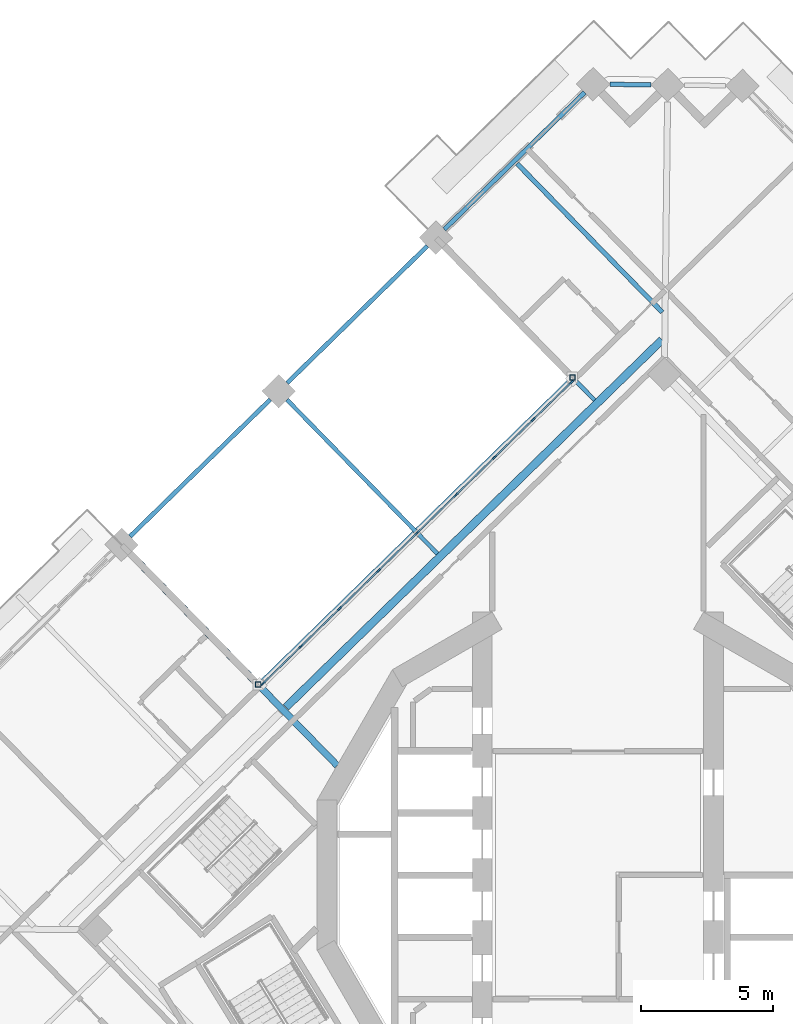
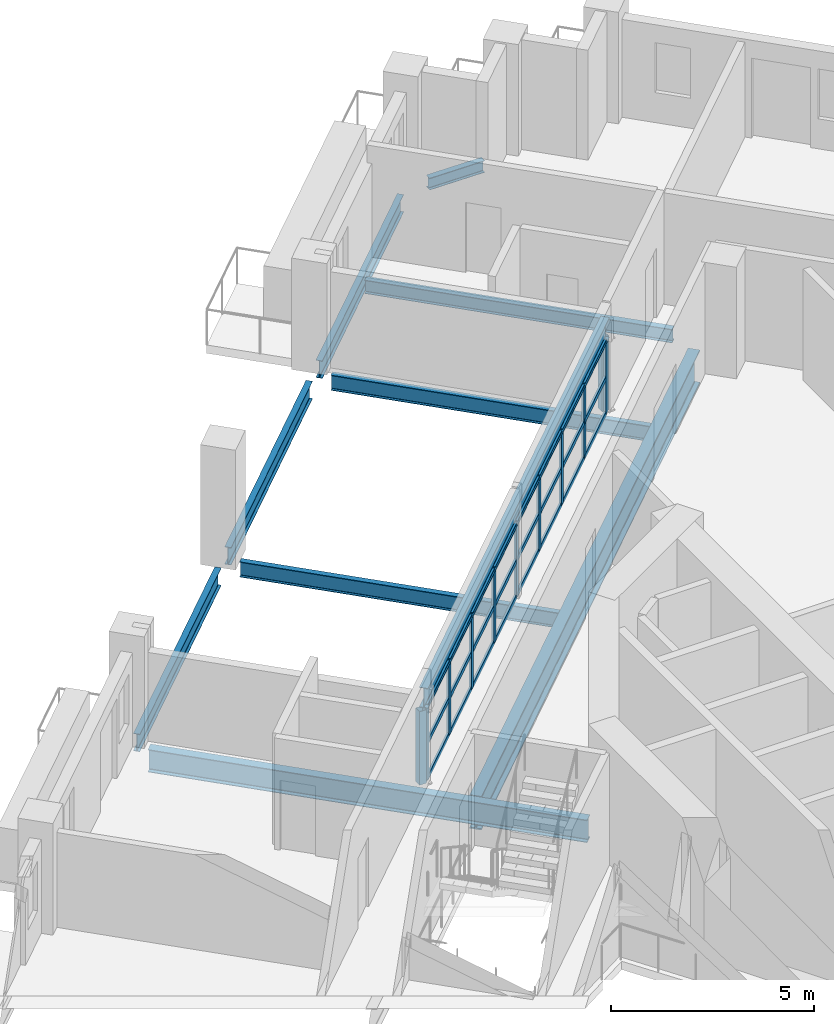
# One storey, part 2 of 18: 35 members, 10 beams, 1 element without a shape of its own.
"""IFC4 building model written with IfcOpenShell, lengths in metres."""

from ifc_helpers import new_model, si_unit, direction, frame, origin, origin_2d, place, context, subcontext, project, spatial, rectangle, hollow_rectangle, i_section, extrude, material, material_profile, profile_set, type_object, element, aggregate, save


model = new_model("IFC4")

# Units and contexts
model_context = context("Model", 3, precision=1e-05, world=origin(), true_north=direction((0.0, 1.0)))
body_context = subcontext(model_context, "Body", "Model", "MODEL_VIEW")
ifc_project = project(units=[si_unit("LENGTHUNIT", "METRE"), si_unit("AREAUNIT", "SQUARE_METRE"), si_unit("VOLUMEUNIT", "CUBIC_METRE"), si_unit("PLANEANGLEUNIT", "RADIAN"), si_unit("MASSUNIT", "GRAM", prefix="KILO")], contexts=[model_context])

# Site, building, storey
site_placement = place(None, origin())
site = spatial("IfcSite", under=ifc_project, at=site_placement, CompositionType="ELEMENT")
building_placement = place(site_placement, origin())
building = spatial("IfcBuilding", under=site, at=building_placement, Name="Cantera Rosa Tower", CompositionType="ELEMENT")
storey_placement = place(building_placement, frame((0.0, 0.0, 219.800048828125)))
storey = spatial("IfcBuildingStorey", under=building, at=storey_placement, Name="L47", CompositionType="ELEMENT", Elevation=219.800048828125)

# Curtain wall, members
ifc_material_1 = material(Name="Aluminium frame with clear glass", Category="aluminium")
curtain_wall_type = type_object("IfcCurtainWallType", Name="CW1 TERRACE POCKET GLAZING", PredefinedType="NOTDEFINED", material=ifc_material_1)
curtain_wall_placement = place(storey_placement, origin())
curtain_wall = element("IfcCurtainWall", 1, at=curtain_wall_placement, inside=storey, type_object=curtain_wall_type, Name="CW1 CW1", PredefinedType="NOTDEFINED")
ifc_material_2 = material(Name="Anodised bronze aluminium", Category="aluminium")
ifc_material_profile_1 = material_profile(ifc_material_2, rectangle(XDim=0.06005859375, YDim=0.179931640625, at=origin_2d()), Name="CW-MULLION 60x180 POCKET")
ifc_profile_set_1 = profile_set([ifc_material_profile_1], Name="Anodised bronze aluminium")
member_type_1 = type_object("IfcMemberType", Name="CW-MULLION 60x180 POCKET", PredefinedType="MULLION", material=ifc_profile_set_1)
member_1_placement = place(storey_placement, frame((-1.002685546875, 18.662841796875, 0.0), z_axis=(0.0, 0.0, 1.0), x_axis=(0.698831540364, -0.71528629107, 0.0)))
member_1 = element("IfcMember", 2, at=member_1_placement, type_object=member_type_1, Name="CW1 mullion 1", PredefinedType="MULLION", context=body_context, shape_type="SweptSolid", body=[
    extrude(rectangle(XDim=0.06005859375, YDim=0.179931640625, at=origin_2d()), origin(), (0.0, 0.0, 1.0), 2.2060546875),
])
member_2_placement = place(storey_placement, frame((-2.44677734375, 17.252197265625, 0.0), z_axis=(0.0, 0.0, 1.0), x_axis=(0.698831540364, -0.71528629107, 0.0)))
member_2 = element("IfcMember", 3, at=member_2_placement, type_object=member_type_1, Name="CW1 mullion 2", PredefinedType="MULLION", context=body_context, shape_type="SweptSolid", body=[
    extrude(rectangle(XDim=0.06005859375, YDim=0.179931640625, at=origin_2d()), origin(), (0.0, 0.0, 1.0), 2.2060546875),
])
member_3_placement = place(storey_placement, frame((-3.912109375, 15.8203125, 0.0), z_axis=(0.0, 0.0, 1.0), x_axis=(0.698831540364, -0.71528629107, 0.0)))
member_3 = element("IfcMember", 4, at=member_3_placement, type_object=member_type_1, Name="CW1 mullion 3", PredefinedType="MULLION", context=body_context, shape_type="SweptSolid", body=[
    extrude(rectangle(XDim=0.06005859375, YDim=0.179931640625, at=origin_2d()), origin(), (0.0, 0.0, 1.0), 2.2060546875),
])
member_4_placement = place(storey_placement, frame((-5.37744140625, 14.388671875, 0.0), z_axis=(0.0, 0.0, 1.0), x_axis=(0.698831540364, -0.71528629107, 0.0)))
member_4 = element("IfcMember", 5, at=member_4_placement, type_object=member_type_1, Name="CW1 mullion 4", PredefinedType="MULLION", context=body_context, shape_type="SweptSolid", body=[
    extrude(rectangle(XDim=0.06005859375, YDim=0.179931640625, at=origin_2d()), origin(), (0.0, 0.0, 1.0), 2.2060546875),
])
member_5_placement = place(storey_placement, frame((-6.843017578125, 12.95703125, 0.0), z_axis=(0.0, 0.0, 1.0), x_axis=(0.698831540364, -0.71528629107, 0.0)))
member_5 = element("IfcMember", 6, at=member_5_placement, type_object=member_type_1, Name="CW1 mullion 5", PredefinedType="MULLION", context=body_context, shape_type="SweptSolid", body=[
    extrude(rectangle(XDim=0.06005859375, YDim=0.179931640625, at=origin_2d()), origin(), (0.0, 0.0, 1.0), 2.2060546875),
])
member_6_placement = place(storey_placement, frame((-8.308349609375, 11.525146484375, 0.0), z_axis=(0.0, 0.0, 1.0), x_axis=(0.698831540364, -0.71528629107, 0.0)))
member_6 = element("IfcMember", 7, at=member_6_placement, type_object=member_type_1, Name="CW1 mullion 6", PredefinedType="MULLION", context=body_context, shape_type="SweptSolid", body=[
    extrude(rectangle(XDim=0.06005859375, YDim=0.179931640625, at=origin_2d()), origin(), (0.0, 0.0, 1.0), 2.2060546875),
])
member_7_placement = place(storey_placement, frame((-9.77392578125, 10.093505859375, 0.0), z_axis=(0.0, 0.0, 1.0), x_axis=(0.698831540364, -0.71528629107, 0.0)))
member_7 = element("IfcMember", 8, at=member_7_placement, type_object=member_type_1, Name="CW1 mullion 7", PredefinedType="MULLION", context=body_context, shape_type="SweptSolid", body=[
    extrude(rectangle(XDim=0.06005859375, YDim=0.179931640625, at=origin_2d()), origin(), (0.0, 0.0, 1.0), 2.2060546875),
])
member_8_placement = place(storey_placement, frame((-11.2392578125, 8.66162109375, 0.0), z_axis=(0.0, 0.0, 1.0), x_axis=(0.698831540364, -0.71528629107, 0.0)))
member_8 = element("IfcMember", 9, at=member_8_placement, type_object=member_type_1, Name="CW1 mullion 8", PredefinedType="MULLION", context=body_context, shape_type="SweptSolid", body=[
    extrude(rectangle(XDim=0.06005859375, YDim=0.179931640625, at=origin_2d()), origin(), (0.0, 0.0, 1.0), 2.2060546875),
])
member_9_placement = place(storey_placement, frame((-12.683349609375, 7.2509765625, 0.0), z_axis=(0.0, 0.0, 1.0), x_axis=(0.698831540364, -0.71528629107, 0.0)))
member_9 = element("IfcMember", 10, at=member_9_placement, type_object=member_type_1, Name="CW1 mullion 9", PredefinedType="MULLION", context=body_context, shape_type="SweptSolid", body=[
    extrude(rectangle(XDim=0.06005859375, YDim=0.179931640625, at=origin_2d()), origin(), (0.0, 0.0, 1.0), 2.2060546875),
])
ifc_material_3 = material(Name="Anodised bronze aluminium", Category="aluminium")
ifc_material_profile_2 = material_profile(ifc_material_3, rectangle(XDim=0.06005859375, YDim=0.139892578125, at=origin_2d()), Name="CW-TRANSOM 60x140 POCKET")
ifc_profile_set_2 = profile_set([ifc_material_profile_2], Name="Anodised bronze aluminium")
member_type_2 = type_object("IfcMemberType", Name="CW-TRANSOM 60x140 POCKET", PredefinedType="USERDEFINED", material=ifc_profile_set_2)
member_10_placement = place(storey_placement, frame((-1.024169921875, 18.641845703125, 0.030029296875), z_axis=(-0.715284895398, -0.698832968896, 0.0), x_axis=(0.698832968896, -0.715284895398, 0.0)))
member_10 = element("IfcMember", 11, at=member_10_placement, type_object=member_type_2, Name="CW1 transom 1.1", ObjectType="TRANSOM", PredefinedType="USERDEFINED", context=body_context, shape_type="SweptSolid", body=[
    extrude(rectangle(XDim=0.06005859375, YDim=0.139892578125, at=origin_2d()), origin(), (0.0, 0.0, 1.0), 1.958740234375),
])
member_11_placement = place(storey_placement, frame((-1.024169921875, 18.641845703125, 1.10302734375), z_axis=(-0.715284895398, -0.698832968896, 0.0), x_axis=(0.698832968896, -0.715284895398, 0.0)))
member_11 = element("IfcMember", 12, at=member_11_placement, type_object=member_type_2, Name="CW1 transom 1.2", ObjectType="TRANSOM", PredefinedType="USERDEFINED", context=body_context, shape_type="SweptSolid", body=[
    extrude(rectangle(XDim=0.06005859375, YDim=0.139892578125, at=origin_2d()), origin(), (0.0, 0.0, 1.0), 1.958740234375),
])
member_12_placement = place(storey_placement, frame((-1.024169921875, 18.641845703125, 2.176025390625), z_axis=(-0.715284895398, -0.698832968896, 0.0), x_axis=(0.698832968896, -0.715284895398, 0.0)))
member_12 = element("IfcMember", 13, at=member_12_placement, type_object=member_type_2, Name="CW1 transom 1.3", ObjectType="TRANSOM", PredefinedType="USERDEFINED", context=body_context, shape_type="SweptSolid", body=[
    extrude(rectangle(XDim=0.06005859375, YDim=0.139892578125, at=origin_2d()), origin(), (0.0, 0.0, 1.0), 1.958740234375),
])
member_13_placement = place(storey_placement, frame((-2.468017578125, 17.231201171875, 0.030029296875), z_axis=(-0.715283419933, -0.698834479093, 0.0), x_axis=(0.698834479093, -0.715283419933, 0.0)))
member_13 = element("IfcMember", 14, at=member_13_placement, type_object=member_type_2, Name="CW1 transom 2.1", ObjectType="TRANSOM", PredefinedType="USERDEFINED", context=body_context, shape_type="SweptSolid", body=[
    extrude(rectangle(XDim=0.06005859375, YDim=0.139892578125, at=origin_2d()), origin(), (0.0, 0.0, 1.0), 1.98876953125),
])
member_14_placement = place(storey_placement, frame((-2.468017578125, 17.231201171875, 1.10302734375), z_axis=(-0.715283419933, -0.698834479093, 0.0), x_axis=(0.698834479093, -0.715283419933, 0.0)))
member_14 = element("IfcMember", 15, at=member_14_placement, type_object=member_type_2, Name="CW1 transom 2.2", ObjectType="TRANSOM", PredefinedType="USERDEFINED", context=body_context, shape_type="SweptSolid", body=[
    extrude(rectangle(XDim=0.06005859375, YDim=0.139892578125, at=origin_2d()), origin(), (0.0, 0.0, 1.0), 1.98876953125),
])
member_15_placement = place(storey_placement, frame((-2.468017578125, 17.231201171875, 2.176025390625), z_axis=(-0.715283419933, -0.698834479093, 0.0), x_axis=(0.698834479093, -0.715283419933, 0.0)))
member_15 = element("IfcMember", 16, at=member_15_placement, type_object=member_type_2, Name="CW1 transom 2.3", ObjectType="TRANSOM", PredefinedType="USERDEFINED", context=body_context, shape_type="SweptSolid", body=[
    extrude(rectangle(XDim=0.06005859375, YDim=0.139892578125, at=origin_2d()), origin(), (0.0, 0.0, 1.0), 1.98876953125),
])
member_16_placement = place(storey_placement, frame((-3.93359375, 15.79931640625, 0.030029296875), z_axis=(-0.715344782477, -0.6987716667, 0.0), x_axis=(0.6987716667, -0.715344782477, 0.0)))
member_16 = element("IfcMember", 17, at=member_16_placement, type_object=member_type_2, Name="CW1 transom 3.1", ObjectType="TRANSOM", PredefinedType="USERDEFINED", context=body_context, shape_type="SweptSolid", body=[
    extrude(rectangle(XDim=0.06005859375, YDim=0.139892578125, at=origin_2d()), origin(), (0.0, 0.0, 1.0), 1.98876953125),
])
member_17_placement = place(storey_placement, frame((-3.93359375, 15.79931640625, 1.10302734375), z_axis=(-0.715344782477, -0.6987716667, 0.0), x_axis=(0.6987716667, -0.715344782477, 0.0)))
member_17 = element("IfcMember", 18, at=member_17_placement, type_object=member_type_2, Name="CW1 transom 3.2", ObjectType="TRANSOM", PredefinedType="USERDEFINED", context=body_context, shape_type="SweptSolid", body=[
    extrude(rectangle(XDim=0.06005859375, YDim=0.139892578125, at=origin_2d()), origin(), (0.0, 0.0, 1.0), 1.98876953125),
])
member_18_placement = place(storey_placement, frame((-3.93359375, 15.79931640625, 2.176025390625), z_axis=(-0.715344782477, -0.6987716667, 0.0), x_axis=(0.6987716667, -0.715344782477, 0.0)))
member_18 = element("IfcMember", 19, at=member_18_placement, type_object=member_type_2, Name="CW1 transom 3.3", ObjectType="TRANSOM", PredefinedType="USERDEFINED", context=body_context, shape_type="SweptSolid", body=[
    extrude(rectangle(XDim=0.06005859375, YDim=0.139892578125, at=origin_2d()), origin(), (0.0, 0.0, 1.0), 1.98876953125),
])
member_19_placement = place(storey_placement, frame((-5.39892578125, 14.36767578125, 0.030029296875), z_axis=(-0.715283419933, -0.698834479093, 0.0), x_axis=(0.698834479093, -0.715283419933, 0.0)))
member_19 = element("IfcMember", 20, at=member_19_placement, type_object=member_type_2, Name="CW1 transom 4.1", ObjectType="TRANSOM", PredefinedType="USERDEFINED", context=body_context, shape_type="SweptSolid", body=[
    extrude(rectangle(XDim=0.06005859375, YDim=0.139892578125, at=origin_2d()), origin(), (0.0, 0.0, 1.0), 1.98876953125),
])
member_20_placement = place(storey_placement, frame((-5.39892578125, 14.36767578125, 1.10302734375), z_axis=(-0.715283419933, -0.698834479093, 0.0), x_axis=(0.698834479093, -0.715283419933, 0.0)))
member_20 = element("IfcMember", 21, at=member_20_placement, type_object=member_type_2, Name="CW1 transom 4.2", ObjectType="TRANSOM", PredefinedType="USERDEFINED", context=body_context, shape_type="SweptSolid", body=[
    extrude(rectangle(XDim=0.06005859375, YDim=0.139892578125, at=origin_2d()), origin(), (0.0, 0.0, 1.0), 1.98876953125),
])
member_21_placement = place(storey_placement, frame((-5.39892578125, 14.36767578125, 2.176025390625), z_axis=(-0.715283419933, -0.698834479093, 0.0), x_axis=(0.698834479093, -0.715283419933, 0.0)))
member_21 = element("IfcMember", 22, at=member_21_placement, type_object=member_type_2, Name="CW1 transom 4.3", ObjectType="TRANSOM", PredefinedType="USERDEFINED", context=body_context, shape_type="SweptSolid", body=[
    extrude(rectangle(XDim=0.06005859375, YDim=0.139892578125, at=origin_2d()), origin(), (0.0, 0.0, 1.0), 1.98876953125),
])
member_22_placement = place(storey_placement, frame((-6.864501953125, 12.93603515625, 0.030029296875), z_axis=(-0.715223463058, -0.698895841948, 0.0), x_axis=(0.698895841948, -0.715223463058, 0.0)))
member_22 = element("IfcMember", 23, at=member_22_placement, type_object=member_type_2, Name="CW1 transom 5.1", ObjectType="TRANSOM", PredefinedType="USERDEFINED", context=body_context, shape_type="SweptSolid", body=[
    extrude(rectangle(XDim=0.06005859375, YDim=0.139892578125, at=origin_2d()), origin(), (0.0, 0.0, 1.0), 1.98876953125),
])
member_23_placement = place(storey_placement, frame((-6.864501953125, 12.93603515625, 1.10302734375), z_axis=(-0.715223463058, -0.698895841948, 0.0), x_axis=(0.698895841948, -0.715223463058, 0.0)))
member_23 = element("IfcMember", 24, at=member_23_placement, type_object=member_type_2, Name="CW1 transom 5.2", ObjectType="TRANSOM", PredefinedType="USERDEFINED", context=body_context, shape_type="SweptSolid", body=[
    extrude(rectangle(XDim=0.06005859375, YDim=0.139892578125, at=origin_2d()), origin(), (0.0, 0.0, 1.0), 1.98876953125),
])
member_24_placement = place(storey_placement, frame((-6.864501953125, 12.93603515625, 2.176025390625), z_axis=(-0.715223463058, -0.698895841948, 0.0), x_axis=(0.698895841948, -0.715223463058, 0.0)))
member_24 = element("IfcMember", 25, at=member_24_placement, type_object=member_type_2, Name="CW1 transom 5.3", ObjectType="TRANSOM", PredefinedType="USERDEFINED", context=body_context, shape_type="SweptSolid", body=[
    extrude(rectangle(XDim=0.06005859375, YDim=0.139892578125, at=origin_2d()), origin(), (0.0, 0.0, 1.0), 1.98876953125),
])
member_25_placement = place(storey_placement, frame((-8.329833984375, 11.504150390625, 0.030029296875), z_axis=(-0.715344782477, -0.6987716667, 0.0), x_axis=(0.6987716667, -0.715344782477, 0.0)))
member_25 = element("IfcMember", 26, at=member_25_placement, type_object=member_type_2, Name="CW1 transom 6.1", ObjectType="TRANSOM", PredefinedType="USERDEFINED", context=body_context, shape_type="SweptSolid", body=[
    extrude(rectangle(XDim=0.06005859375, YDim=0.139892578125, at=origin_2d()), origin(), (0.0, 0.0, 1.0), 1.98876953125),
])
member_26_placement = place(storey_placement, frame((-8.329833984375, 11.504150390625, 1.10302734375), z_axis=(-0.715344782477, -0.6987716667, 0.0), x_axis=(0.6987716667, -0.715344782477, 0.0)))
member_26 = element("IfcMember", 27, at=member_26_placement, type_object=member_type_2, Name="CW1 transom 6.2", ObjectType="TRANSOM", PredefinedType="USERDEFINED", context=body_context, shape_type="SweptSolid", body=[
    extrude(rectangle(XDim=0.06005859375, YDim=0.139892578125, at=origin_2d()), origin(), (0.0, 0.0, 1.0), 1.98876953125),
])
member_27_placement = place(storey_placement, frame((-8.329833984375, 11.504150390625, 2.176025390625), z_axis=(-0.715344782477, -0.6987716667, 0.0), x_axis=(0.6987716667, -0.715344782477, 0.0)))
member_27 = element("IfcMember", 28, at=member_27_placement, type_object=member_type_2, Name="CW1 transom 6.3", ObjectType="TRANSOM", PredefinedType="USERDEFINED", context=body_context, shape_type="SweptSolid", body=[
    extrude(rectangle(XDim=0.06005859375, YDim=0.139892578125, at=origin_2d()), origin(), (0.0, 0.0, 1.0), 1.98876953125),
])
member_28_placement = place(storey_placement, frame((-9.79541015625, 10.072509765625, 0.030029296875), z_axis=(-0.715223463058, -0.698895841948, 0.0), x_axis=(0.698895841948, -0.715223463058, 0.0)))
member_28 = element("IfcMember", 29, at=member_28_placement, type_object=member_type_2, Name="CW1 transom 7.1", ObjectType="TRANSOM", PredefinedType="USERDEFINED", context=body_context, shape_type="SweptSolid", body=[
    extrude(rectangle(XDim=0.06005859375, YDim=0.139892578125, at=origin_2d()), origin(), (0.0, 0.0, 1.0), 1.98876953125),
])
member_29_placement = place(storey_placement, frame((-9.79541015625, 10.072509765625, 1.10302734375), z_axis=(-0.715223463058, -0.698895841948, 0.0), x_axis=(0.698895841948, -0.715223463058, 0.0)))
member_29 = element("IfcMember", 30, at=member_29_placement, type_object=member_type_2, Name="CW1 transom 7.2", ObjectType="TRANSOM", PredefinedType="USERDEFINED", context=body_context, shape_type="SweptSolid", body=[
    extrude(rectangle(XDim=0.06005859375, YDim=0.139892578125, at=origin_2d()), origin(), (0.0, 0.0, 1.0), 1.98876953125),
])
member_30_placement = place(storey_placement, frame((-9.79541015625, 10.072509765625, 2.176025390625), z_axis=(-0.715223463058, -0.698895841948, 0.0), x_axis=(0.698895841948, -0.715223463058, 0.0)))
member_30 = element("IfcMember", 31, at=member_30_placement, type_object=member_type_2, Name="CW1 transom 7.3", ObjectType="TRANSOM", PredefinedType="USERDEFINED", context=body_context, shape_type="SweptSolid", body=[
    extrude(rectangle(XDim=0.06005859375, YDim=0.139892578125, at=origin_2d()), origin(), (0.0, 0.0, 1.0), 1.98876953125),
])
member_31_placement = place(storey_placement, frame((-11.2607421875, 8.640869140625, 0.030029296875), z_axis=(-0.715284895398, -0.698832968896, 0.0), x_axis=(0.698832968896, -0.715284895398, 0.0)))
member_31 = element("IfcMember", 32, at=member_31_placement, type_object=member_type_2, Name="CW1 transom 8.1", ObjectType="TRANSOM", PredefinedType="USERDEFINED", context=body_context, shape_type="SweptSolid", body=[
    extrude(rectangle(XDim=0.06005859375, YDim=0.139892578125, at=origin_2d()), origin(), (0.0, 0.0, 1.0), 1.958740234375),
])
member_32_placement = place(storey_placement, frame((-11.2607421875, 8.640869140625, 1.10302734375), z_axis=(-0.715284895398, -0.698832968896, 0.0), x_axis=(0.698832968896, -0.715284895398, 0.0)))
member_32 = element("IfcMember", 33, at=member_32_placement, type_object=member_type_2, Name="CW1 transom 8.2", ObjectType="TRANSOM", PredefinedType="USERDEFINED", context=body_context, shape_type="SweptSolid", body=[
    extrude(rectangle(XDim=0.06005859375, YDim=0.139892578125, at=origin_2d()), origin(), (0.0, 0.0, 1.0), 1.958740234375),
])
member_33_placement = place(storey_placement, frame((-11.2607421875, 8.640869140625, 2.176025390625), z_axis=(-0.715284895398, -0.698832968896, 0.0), x_axis=(0.698832968896, -0.715284895398, 0.0)))
member_33 = element("IfcMember", 34, at=member_33_placement, type_object=member_type_2, Name="CW1 transom 8.3", ObjectType="TRANSOM", PredefinedType="USERDEFINED", context=body_context, shape_type="SweptSolid", body=[
    extrude(rectangle(XDim=0.06005859375, YDim=0.139892578125, at=origin_2d()), origin(), (0.0, 0.0, 1.0), 1.958740234375),
])
aggregate(curtain_wall, [member_1, member_2, member_3, member_4, member_5, member_6, member_7, member_8, member_9, member_10, member_11, member_12, member_13, member_14, member_15, member_16, member_17, member_18, member_19, member_20, member_21, member_22, member_23, member_24, member_25, member_26, member_27, member_28, member_29, member_30, member_31, member_32, member_33])

# Members
ifc_material_4 = material(Name="Steel ASTM A992 (Fy 345 MPa)", Category="steel")
ifc_material_profile_3 = material_profile(ifc_material_4, hollow_rectangle(XDim=0.199951171875, YDim=0.199951171875, WallThickness=0.010009765625, at=origin_2d()), Name="LINTEL POST RHS 200x200x10")
ifc_profile_set_3 = profile_set([ifc_material_profile_3], Name="Steel ASTM A992 (Fy 345 MPa)")
member_type_3 = type_object("IfcMemberType", Name="LINTEL POST RHS 200x200x10", PredefinedType="USERDEFINED", material=ifc_profile_set_3)
for number, where, z_axis, x_axis, name in (
    (35, (-0.961669921875, 18.8427734375, 0.0), (0.0, 0.0, 1.0), (1.0, 0.0, 0.0), "LINTEL POST L47-1"),
    (36, (-12.864013671875, 7.214111328125, 0.0), (0.0, 0.0, 1.0), (1.0, 0.0, 0.0), "LINTEL POST L47-2"),
):
    element("IfcMember", number, at=place(storey_placement, frame(where, z_axis=z_axis, x_axis=x_axis)), inside=storey, type_object=member_type_3, Name=name, ObjectType="LINTEL POST", PredefinedType="USERDEFINED", context=body_context, shape_type="SweptSolid", body=[
        extrude(hollow_rectangle(XDim=0.199951171875, YDim=0.199951171875, WallThickness=0.010009765625, at=origin_2d()), origin(), (0.0, 0.0, 1.0), 2.2080078125),
    ])

# Beams
ifc_material_5 = material(Name="Steel ASTM A992 (Fy 345 MPa)", Category="steel")
ifc_material_profile_4 = material_profile(ifc_material_5, i_section(OverallWidth=0.302001953125, OverallDepth=1.010009765625, WebThickness=0.02099609375, FlangeThickness=0.0400390625, FilletRadius=0.030029296875, at=origin_2d()), Name="W1000X350")
ifc_profile_set_4 = profile_set([ifc_material_profile_4], Name="Steel ASTM A992 (Fy 345 MPa)")
beam_type_1 = type_object("IfcBeamType", Name="STEEL BEAM W1000X350", PredefinedType="BEAM", material=ifc_profile_set_4)
beam_1_placement = place(storey_placement, frame((-11.813232421875, 6.353271484375, -0.755126953125), z_axis=(0.715280810147, 0.698837150297, 0.0), x_axis=(-0.698837150297, 0.715280810147, 0.0)))
element("IfcBeam", 37, at=beam_1_placement, inside=storey, type_object=beam_type_1, Name="RB-Z4-02 L47", PredefinedType="BEAM", context=body_context, shape_type="SweptSolid", body=[
    extrude(i_section(OverallWidth=0.302001953125, OverallDepth=1.010009765625, WebThickness=0.02099609375, FlangeThickness=0.0400390625, FilletRadius=0.030029296875, at=origin_2d()), origin(), (0.0, 0.0, 1.0), 19.909912109375),
])
ifc_material_6 = material(Name="Steel ASTM A992 (Fy 345 MPa)", Category="steel")
ifc_material_profile_5 = material_profile(ifc_material_6, i_section(OverallWidth=0.154052734375, OverallDepth=0.4599609375, WebThickness=0.009033203125, FlangeThickness=0.015380859375, FilletRadius=0.01025390625, at=origin_2d()), Name="W460X68")
ifc_profile_set_5 = profile_set([ifc_material_profile_5], Name="Steel ASTM A992 (Fy 345 MPa)")
beam_type_2 = type_object("IfcBeamType", Name="STEEL BEAM W460X68", PredefinedType="BEAM", material=ifc_profile_set_5)
for number, where, z_axis, x_axis, name in (
    (38, (-5.818603515625, 23.81396484375, -0.47998046875), (0.698836133494, -0.715281803574, 0.0), (0.715281803574, 0.698836133494, 0.0), "G-Z4-05 L47"),
    (39, (-11.769775390625, 17.999755859375, -0.47998046875), (0.698836133494, -0.715281803574, 0.0), (0.715281803574, 0.698836133494, 0.0), "G-Z4-06 L47"),
):
    element("IfcBeam", number, at=place(storey_placement, frame(where, z_axis=z_axis, x_axis=x_axis)), inside=storey, type_object=beam_type_2, Name=name, PredefinedType="BEAM", context=body_context, shape_type="SweptSolid", body=[
        extrude(i_section(OverallWidth=0.154052734375, OverallDepth=0.4599609375, WebThickness=0.009033203125, FlangeThickness=0.015380859375, FilletRadius=0.01025390625, at=origin_2d()), origin(), (0.0, 0.0, 1.0), 8.150146484375),
    ])
ifc_material_7 = material(Name="Steel ASTM A992 (Fy 345 MPa)", Category="steel")
ifc_material_profile_6 = material_profile(ifc_material_7, i_section(OverallWidth=0.22802734375, OverallDepth=0.60205078125, WebThickness=0.010498046875, FlangeThickness=0.014892578125, FilletRadius=0.0126953125, at=origin_2d()), Name="W610X101")
ifc_profile_set_6 = profile_set([ifc_material_profile_6], Name="Steel ASTM A992 (Fy 345 MPa)")
beam_type_3 = type_object("IfcBeamType", Name="STEEL BEAM W610X101", PredefinedType="BEAM", material=ifc_profile_set_6)
beam_2_placement = place(storey_placement, frame((-0.96240234375, 18.77197265625, 2.509033203125), z_axis=(-0.715295185553, -0.698822436335, 0.0), x_axis=(0.698822436335, -0.715295185553, 0.0)))
element("IfcBeam", 40, at=beam_2_placement, inside=storey, type_object=beam_type_3, Name="LINTEL SL-L47", PredefinedType="BEAM", context=body_context, shape_type="SweptSolid", body=[
    extrude(i_section(OverallWidth=0.22802734375, OverallDepth=0.60205078125, WebThickness=0.010498046875, FlangeThickness=0.014892578125, FilletRadius=0.0126953125, at=origin_2d()), origin(), (0.0, 0.0, 1.0), 16.5400390625),
])
ifc_material_8 = material(Name="Steel ASTM A992 (Fy 345 MPa)", Category="steel")
ifc_material_profile_7 = material_profile(ifc_material_8, i_section(OverallWidth=0.25390625, OverallDepth=0.677978515625, WebThickness=0.01171875, FlangeThickness=0.016357421875, FilletRadius=0.01513671875, at=origin_2d()), Name="W690X125")
ifc_profile_set_7 = profile_set([ifc_material_profile_7], Name="Steel ASTM A992 (Fy 345 MPa)")
beam_type_4 = type_object("IfcBeamType", Name="STEEL BEAM W690X125", PredefinedType="BEAM", material=ifc_profile_set_7)
beam_3_placement = place(storey_placement, frame((-17.720947265625, 12.185302734375, -0.589111328125), z_axis=(0.698831358516, -0.715286468734, 0.0), x_axis=(0.715286468734, 0.698831358516, 0.0)))
element("IfcBeam", 41, at=beam_3_placement, inside=storey, type_object=beam_type_4, Name="G-Z4-07 L47", PredefinedType="BEAM", context=body_context, shape_type="SweptSolid", body=[
    extrude(i_section(OverallWidth=0.25390625, OverallDepth=0.677978515625, WebThickness=0.01171875, FlangeThickness=0.016357421875, FilletRadius=0.01513671875, at=origin_2d()), origin(), (0.0, 0.0, 1.0), 11.2314453125),
])
ifc_material_9 = material(Name="Steel ASTM A992 (Fy 345 MPa)", Category="steel")
ifc_material_profile_8 = material_profile(ifc_material_9, i_section(OverallWidth=0.177978515625, OverallDepth=0.406005859375, WebThickness=0.0078125, FlangeThickness=0.0126953125, FilletRadius=0.01025390625, at=origin_2d()), Name="W410X60")
ifc_profile_set_8 = profile_set([ifc_material_profile_8], Name="Steel ASTM A992 (Fy 345 MPa)")
beam_type_5 = type_object("IfcBeamType", Name="STEEL JOIST W410X60", PredefinedType="JOIST", material=ifc_profile_set_8)
beam_4_placement = place(storey_placement, frame((-3.052734375, 26.935791015625, -0.453125), z_axis=(0.698827868311, -0.715289878631, 0.0), x_axis=(0.715289878631, 0.698827868311, 0.0)))
element("IfcBeam", 42, at=beam_4_placement, inside=storey, type_object=beam_type_5, Name="B-Z4-06 L47", PredefinedType="JOIST", context=body_context, shape_type="SweptSolid", body=[
    extrude(i_section(OverallWidth=0.177978515625, OverallDepth=0.406005859375, WebThickness=0.0078125, FlangeThickness=0.0126953125, FilletRadius=0.01025390625, at=origin_2d()), origin(), (0.0, 0.0, 1.0), 7.860107421875),
])
ifc_material_10 = material(Name="Steel ASTM A992 (Fy 345 MPa)", Category="steel")
ifc_material_profile_9 = material_profile(ifc_material_10, i_section(OverallWidth=0.1708984375, OverallDepth=0.35595703125, WebThickness=0.00732421875, FlangeThickness=0.01171875, FilletRadius=0.010009765625, at=origin_2d()), Name="W360X51")
ifc_profile_set_9 = profile_set([ifc_material_profile_9], Name="Steel ASTM A992 (Fy 345 MPa)")
beam_type_6 = type_object("IfcBeamType", Name="STEEL SPANDREL BEAM W360X51", PredefinedType="SPANDREL", material=ifc_profile_set_9)
beam_5_placement = place(storey_placement, frame((2.010009765625, 29.924560546875, -0.427978515625), z_axis=(-0.99993255119, 0.011614347636, 0.0), x_axis=(-0.011614347636, -0.99993255119, 0.0)))
element("IfcBeam", 43, at=beam_5_placement, inside=storey, type_object=beam_type_6, Name="EB-Z4-07 L47", PredefinedType="SPANDREL", context=body_context, shape_type="SweptSolid", body=[
    extrude(i_section(OverallWidth=0.1708984375, OverallDepth=0.35595703125, WebThickness=0.00732421875, FlangeThickness=0.01171875, FilletRadius=0.010009765625, at=origin_2d()), origin(), (0.0, 0.0, 1.0), 1.555419921875),
])
ifc_material_11 = material(Name="Steel ASTM A992 (Fy 345 MPa)", Category="steel")
ifc_material_profile_10 = material_profile(ifc_material_11, i_section(OverallWidth=0.166015625, OverallDepth=0.528076171875, WebThickness=0.009765625, FlangeThickness=0.013671875, FilletRadius=0.0126953125, at=origin_2d()), Name="W530X74")
ifc_profile_set_10 = profile_set([ifc_material_profile_10], Name="Steel ASTM A992 (Fy 345 MPa)")
beam_type_7 = type_object("IfcBeamType", Name="STEEL SPANDREL BEAM W530X74", PredefinedType="SPANDREL", material=ifc_profile_set_10)
beam_6_placement = place(storey_placement, frame((-0.503662109375, 29.6357421875, -0.51416015625), z_axis=(-0.715284379566, -0.698833496871, 0.0), x_axis=(0.698833496871, -0.715284379566, 0.0)))
element("IfcBeam", 44, at=beam_6_placement, inside=storey, type_object=beam_type_7, Name="EB-Z4-08 L47", PredefinedType="SPANDREL", context=body_context, shape_type="SweptSolid", body=[
    extrude(i_section(OverallWidth=0.166015625, OverallDepth=0.528076171875, WebThickness=0.009765625, FlangeThickness=0.013671875, FilletRadius=0.0126953125, at=origin_2d()), origin(), (0.0, 0.0, 1.0), 7.42041015625),
])
for number, where, z_axis, x_axis, name in (
    (45, (-6.454833984375, 23.8212890625, -0.51416015625), (-0.715300826176, -0.698816662703, 0.0), (0.698816662703, -0.715300826176, 0.0), "EB-Z4-09 L47"),
    (46, (-12.406005859375, 18.007080078125, -0.51416015625), (-0.715300826176, -0.698816662703, 0.0), (0.698816662703, -0.715300826176, 0.0), "EB-Z4-10 L47"),
):
    element("IfcBeam", number, at=place(storey_placement, frame(where, z_axis=z_axis, x_axis=x_axis)), inside=storey, type_object=beam_type_7, Name=name, PredefinedType="SPANDREL", context=body_context, shape_type="SweptSolid", body=[
        extrude(i_section(OverallWidth=0.166015625, OverallDepth=0.528076171875, WebThickness=0.009765625, FlangeThickness=0.013671875, FilletRadius=0.0126953125, at=origin_2d()), origin(), (0.0, 0.0, 1.0), 7.420166015625),
    ])

save(model, "model.ifc")
